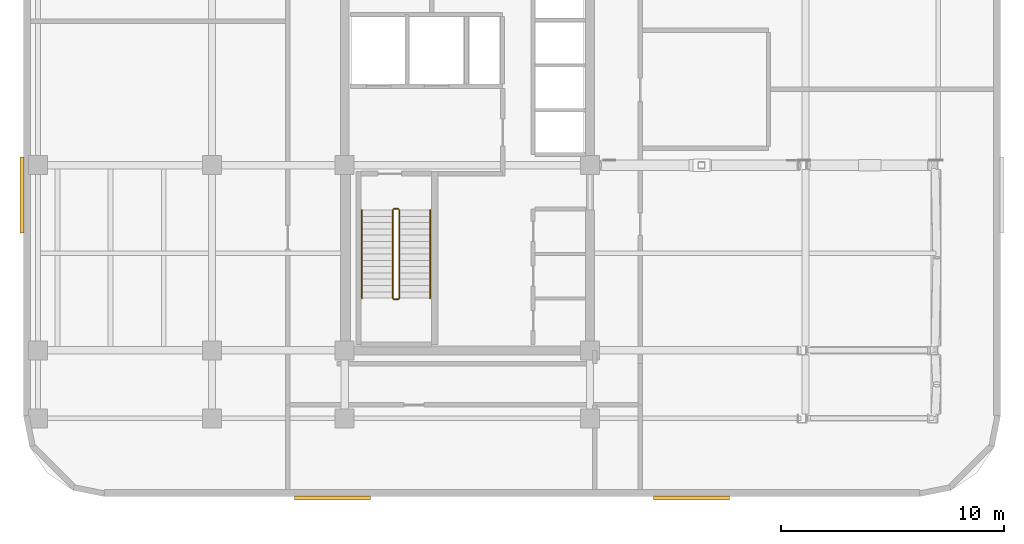
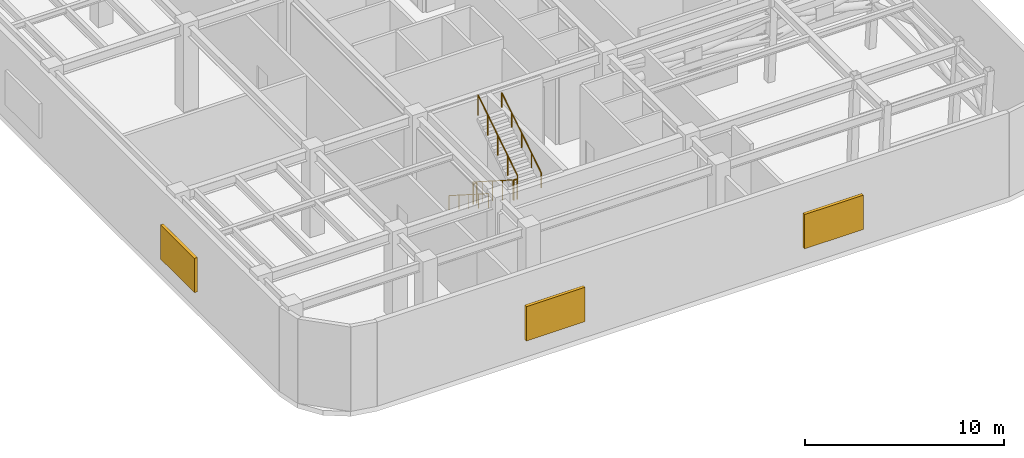
# One storey, part 9 of 12: 6 railings, 3 shading devices.
"""IFC4 building model written with IfcOpenShell, lengths in metres."""

from ifc_helpers import new_model, si_unit, direction, frame, origin, origin_2d, place, context, subcontext, project, spatial, rectangle, circle, extrude, material, layer, layer_set, type_object, element, save


model = new_model("IFC4")

# Units and contexts
model_context = context("Model", 3, precision=1e-05, world=origin(), true_north=direction((0.0, 1.0)))
body_context = subcontext(model_context, "Body", "Model", "MODEL_VIEW")
ifc_project = project(units=[si_unit("LENGTHUNIT", "METRE"), si_unit("AREAUNIT", "SQUARE_METRE"), si_unit("VOLUMEUNIT", "CUBIC_METRE"), si_unit("PLANEANGLEUNIT", "RADIAN"), si_unit("MASSUNIT", "GRAM", prefix="KILO")], contexts=[model_context])

# Site, building, storey
site_placement = place(None, origin())
site = spatial("IfcSite", under=ifc_project, at=site_placement, CompositionType="ELEMENT")
building_placement = place(site_placement, origin())
building = spatial("IfcBuilding", under=site, at=building_placement, Name="Ochreholt Gables", CompositionType="ELEMENT")
storey_placement = place(building_placement, frame((0.0, 0.0, 135.60009765625)))
storey = spatial("IfcBuildingStorey", under=building, at=storey_placement, Name="L35", CompositionType="ELEMENT", Elevation=135.60009765625)

# Railings
ifc_material_1 = material(Name="Painted Steel Stair Guardrail", Category="steel")
railing_type_1 = type_object("IfcRailingType", Name="RL-ST-GUARD", PredefinedType="GUARDRAIL", material=ifc_material_1)
railing_1_placement = place(storey_placement, frame((26.35009765625, 15.5400390625, 0.179931640625)))
element("IfcRailing", 1, at=railing_1_placement, inside=storey, type_object=railing_type_1, Name="L35 ST-1 stair guard 1", PredefinedType="GUARDRAIL", context=body_context, shape_type="SweptSolid", body=[
    extrude(circle(Radius=0.02392578125, at=origin_2d()), frame((0.0, 0.0, 1.22607421875), z_axis=(0.0, -0.842920197654, 0.538038604922), x_axis=(1.0, 0.0, 0.0)), (0.0, 0.0, 1.0), 4.68359375),
    extrude(circle(Radius=0.02099609375, at=origin_2d()), origin(), (0.0, 0.0, 1.0), 1.201904296875),
    extrude(circle(Radius=0.02099609375, at=origin_2d()), frame((0.0, -0.987060546875, 0.6298828125)), (0.0, 0.0, 1.0), 1.201904296875),
    extrude(circle(Radius=0.02099609375, at=origin_2d()), frame((0.0, -1.97412109375, 1.260009765625)), (0.0, 0.0, 1.0), 1.201904296875),
    extrude(circle(Radius=0.02099609375, at=origin_2d()), frame((0.0, -2.9609375, 1.89013671875)), (0.0, 0.0, 1.0), 1.201904296875),
    extrude(circle(Radius=0.02099609375, at=origin_2d()), frame((0.0, -3.947998046875, 2.52001953125)), (0.0, 0.0, 1.0), 1.201904296875),
])
railing_2_placement = place(storey_placement, frame((26.39990234375, 11.5419921875, 2.699951171875)))
element("IfcRailing", 2, at=railing_2_placement, inside=storey, type_object=railing_type_1, Name="L35 ST-1 stair guard 2", PredefinedType="GUARDRAIL", context=body_context, shape_type="SweptSolid", body=[
    extrude(circle(Radius=0.02392578125, at=origin_2d()), frame((0.0, 0.0, 1.22607421875), z_axis=(1.0, 0.0, 0.0), x_axis=(0.0, 1.0, 0.0)), (0.0, 0.0, 1.0), 0.2001953125),
    extrude(circle(Radius=0.02099609375, at=origin_2d()), origin(), (0.0, 0.0, 1.0), 1.201904296875),
    extrude(circle(Radius=0.02099609375, at=origin_2d()), frame((0.2001953125, 0.0, 0.0)), (0.0, 0.0, 1.0), 1.201904296875),
])
railing_3_placement = place(storey_placement, frame((26.64990234375, 11.592041015625, 2.8798828125)))
element("IfcRailing", 3, at=railing_3_placement, inside=storey, type_object=railing_type_1, Name="L35 ST-1 stair guard 3", PredefinedType="GUARDRAIL", context=body_context, shape_type="SweptSolid", body=[
    extrude(circle(Radius=0.02392578125, at=origin_2d()), frame((0.0, 0.0, 1.22607421875), z_axis=(0.0, 0.842920197654, 0.538038604922), x_axis=(-1.0, 0.0, 0.0)), (0.0, 0.0, 1.0), 4.68359375),
    extrude(circle(Radius=0.02099609375, at=origin_2d()), origin(), (0.0, 0.0, 1.0), 1.201904296875),
    extrude(circle(Radius=0.02099609375, at=origin_2d()), frame((0.0, 0.987060546875, 0.6298828125)), (0.0, 0.0, 1.0), 1.201904296875),
    extrude(circle(Radius=0.02099609375, at=origin_2d()), frame((0.0, 1.97412109375, 1.260009765625)), (0.0, 0.0, 1.0), 1.201904296875),
    extrude(circle(Radius=0.02099609375, at=origin_2d()), frame((0.0, 2.9609375, 1.89013671875)), (0.0, 0.0, 1.0), 1.201904296875),
    extrude(circle(Radius=0.02099609375, at=origin_2d()), frame((0.0, 3.947998046875, 2.52001953125)), (0.0, 0.0, 1.0), 1.201904296875),
])
railing_4_placement = place(storey_placement, frame((26.39990234375, 15.590087890625, 0.0)))
element("IfcRailing", 4, at=railing_4_placement, inside=storey, type_object=railing_type_1, Name="L35 ST-1 stair guard 4", PredefinedType="GUARDRAIL", context=body_context, shape_type="SweptSolid", body=[
    extrude(circle(Radius=0.02392578125, at=origin_2d()), frame((0.0, 0.0, 1.22607421875), z_axis=(1.0, 0.0, 0.0), x_axis=(0.0, 1.0, 0.0)), (0.0, 0.0, 1.0), 0.2001953125),
    extrude(circle(Radius=0.02099609375, at=origin_2d()), origin(), (0.0, 0.0, 1.0), 1.201904296875),
    extrude(circle(Radius=0.02099609375, at=origin_2d()), frame((0.2001953125, 0.0, 0.0)), (0.0, 0.0, 1.0), 1.201904296875),
])
ifc_material_2 = material(Name="Brushed Stainless Steel Wall Handrail", Category="steel")
railing_type_2 = type_object("IfcRailingType", Name="RL-ST-HAND", PredefinedType="HANDRAIL", material=ifc_material_2)
railing_5_placement = place(storey_placement, frame((24.969970703125, 15.5400390625, 0.179931640625)))
element("IfcRailing", 5, at=railing_5_placement, inside=storey, type_object=railing_type_2, Name="L35 ST-1 stair handrail 1", PredefinedType="HANDRAIL", context=body_context, shape_type="SweptSolid", body=[
    extrude(circle(Radius=0.02392578125, at=origin_2d()), frame((0.0, 0.0, 0.8759765625), z_axis=(0.0, -0.842920197654, 0.538038604922), x_axis=(1.0, 0.0, 0.0)), (0.0, 0.0, 1.0), 4.68359375),
    extrude(circle(Radius=0.02099609375, at=origin_2d()), origin(), (0.0, 0.0, 1.0), 0.851806640625),
    extrude(circle(Radius=0.02099609375, at=origin_2d()), frame((0.0, -0.987060546875, 0.6298828125)), (0.0, 0.0, 1.0), 0.851806640625),
    extrude(circle(Radius=0.02099609375, at=origin_2d()), frame((0.0, -1.97412109375, 1.260009765625)), (0.0, 0.0, 1.0), 0.851806640625),
    extrude(circle(Radius=0.02099609375, at=origin_2d()), frame((0.0, -2.9609375, 1.89013671875)), (0.0, 0.0, 1.0), 0.851806640625),
    extrude(circle(Radius=0.02099609375, at=origin_2d()), frame((0.0, -3.947998046875, 2.52001953125)), (0.0, 0.0, 1.0), 0.851806640625),
])
railing_6_placement = place(storey_placement, frame((28.030029296875, 11.592041015625, 2.8798828125)))
element("IfcRailing", 6, at=railing_6_placement, inside=storey, type_object=railing_type_2, Name="L35 ST-1 stair handrail 2", PredefinedType="HANDRAIL", context=body_context, shape_type="SweptSolid", body=[
    extrude(circle(Radius=0.02392578125, at=origin_2d()), frame((0.0, 0.0, 0.8759765625), z_axis=(0.0, 0.842920197654, 0.538038604922), x_axis=(-1.0, 0.0, 0.0)), (0.0, 0.0, 1.0), 4.68359375),
    extrude(circle(Radius=0.02099609375, at=origin_2d()), origin(), (0.0, 0.0, 1.0), 0.851806640625),
    extrude(circle(Radius=0.02099609375, at=origin_2d()), frame((0.0, 0.987060546875, 0.6298828125)), (0.0, 0.0, 1.0), 0.851806640625),
    extrude(circle(Radius=0.02099609375, at=origin_2d()), frame((0.0, 1.97412109375, 1.260009765625)), (0.0, 0.0, 1.0), 0.851806640625),
    extrude(circle(Radius=0.02099609375, at=origin_2d()), frame((0.0, 2.9609375, 1.89013671875)), (0.0, 0.0, 1.0), 0.851806640625),
    extrude(circle(Radius=0.02099609375, at=origin_2d()), frame((0.0, 3.947998046875, 2.52001953125)), (0.0, 0.0, 1.0), 0.851806640625),
])

# Shading devices
ifc_material_3 = material(Name="Anodized Aluminium Acoustic Weather Louvre", Category="aluminium")
ifc_layer = layer(ifc_material_3, 0.179931640625, Name="Anodized Aluminium Acoustic Weather Louvre")
ifc_layer_set = layer_set([ifc_layer], Name="Anodized Aluminium Acoustic Weather Louvre")
shading_device_type = type_object("IfcShadingDeviceType", Name="SHD-LOUVRE", PredefinedType="JALOUSIE", material=ifc_layer_set)
for number, where, z_axis, x_axis, name in (
    (7, (23.64794921875, 2.6298828125, 1.099853515625), (0.0, 0.0, 1.0), (1.0, 0.0, 0.0), "L35 Acoustic Plant Louvre South-1"),
    (8, (39.751953125, 2.6298828125, 1.099853515625), (0.0, 0.0, 1.0), (1.0, 0.0, 0.0), "L35 Acoustic Plant Louvre South-2"),
    (9, (9.72998046875, 16.2119140625, 1.099853515625), (0.0, 0.0, 1.0), (0.0, -1.0, 0.0), "L35 Acoustic Plant Louvre West-2"),
):
    element("IfcShadingDevice", number, at=place(storey_placement, frame(where, z_axis=z_axis, x_axis=x_axis)), inside=storey, type_object=shading_device_type, Name=name, PredefinedType="JALOUSIE", context=body_context, shape_type="SweptSolid", body=[
        extrude(rectangle(XDim=3.39990234375, YDim=0.179931640625, at=origin_2d()), origin(), (0.0, 0.0, 1.0), 2.10009765625),
    ])

save(model, "model.ifc")
